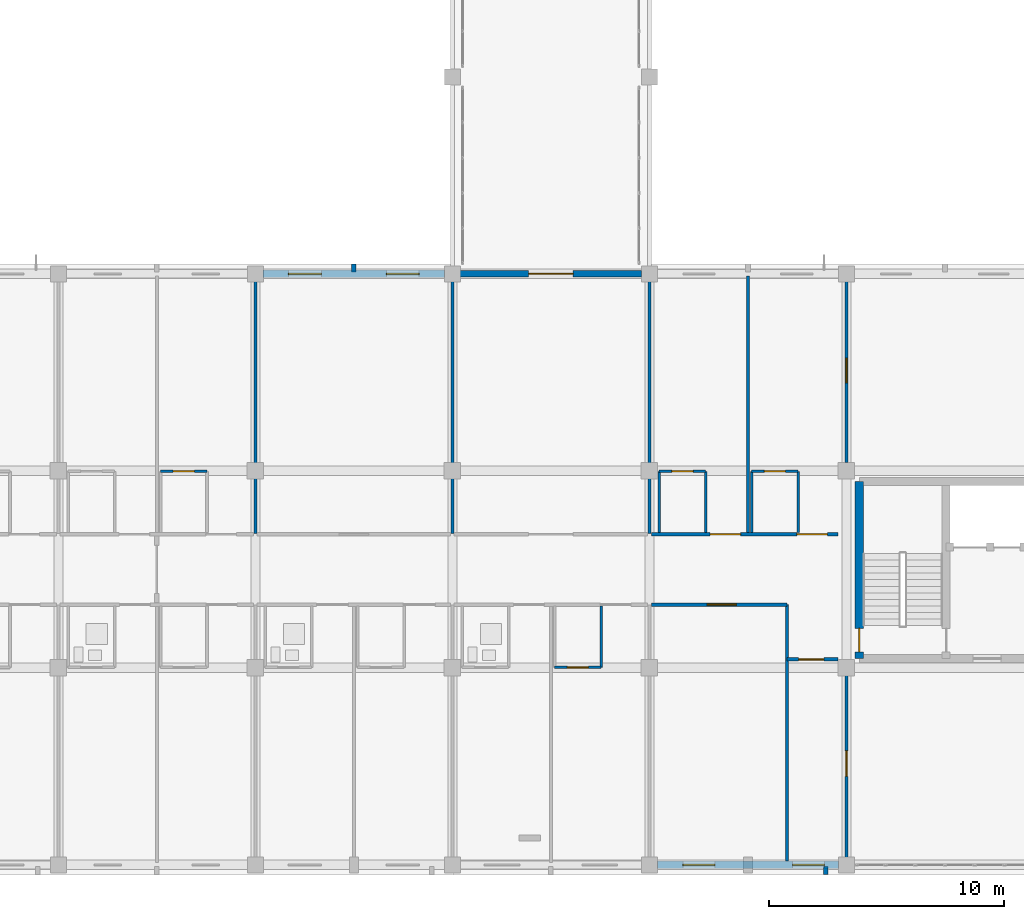
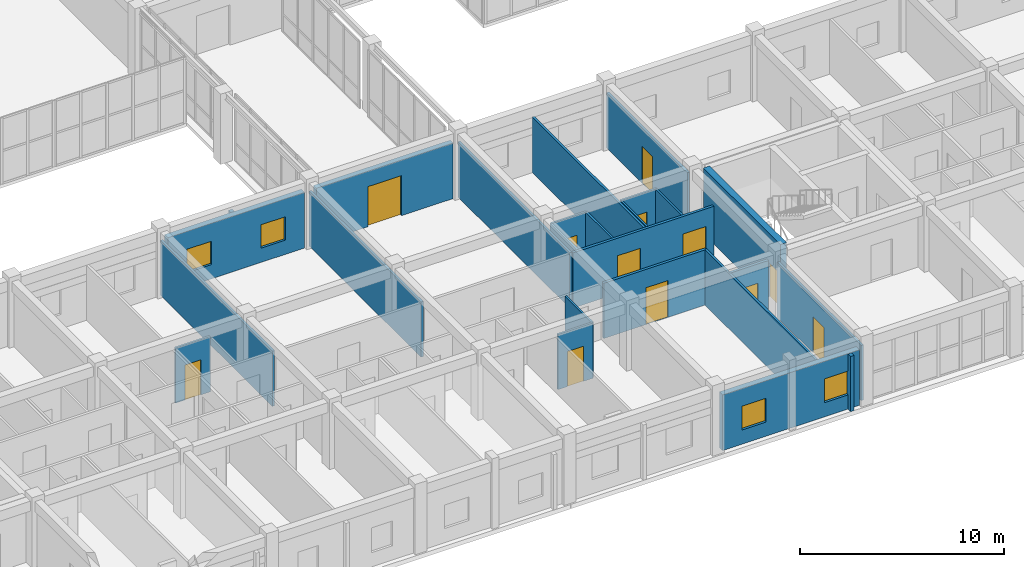
# One storey, part 111 of 140: 25 walls, 12 doors, 4 windows, 16 openings.
"""IFC4 building model written with IfcOpenShell, lengths in metres."""

from ifc_helpers import new_model, si_unit, direction, frame, frame_2d, origin, place, context, subcontext, project, spatial, rectangle, extrude, material, layer, layer_set, type_object, element, fill, save


model = new_model("IFC4")

# Units and contexts
model_context = context("Model", 3, precision=1e-05, world=origin(), true_north=direction((0.0, 1.0)))
body_context = subcontext(model_context, "Body", "Model", "MODEL_VIEW")
ifc_project = project(units=[si_unit("LENGTHUNIT", "METRE"), si_unit("AREAUNIT", "SQUARE_METRE"), si_unit("VOLUMEUNIT", "CUBIC_METRE"), si_unit("PLANEANGLEUNIT", "RADIAN"), si_unit("MASSUNIT", "GRAM", prefix="KILO")], contexts=[model_context])

# Site, building, storey
site_placement = place(None, origin())
site = spatial("IfcSite", under=ifc_project, at=site_placement, CompositionType="ELEMENT")
building_placement = place(site_placement, origin())
building = spatial("IfcBuilding", under=site, at=building_placement, Name="Trelvath General Hospital", CompositionType="ELEMENT")
storey_placement = place(building_placement, frame((0.0, 0.0, 16.199951171875)))
storey = spatial("IfcBuildingStorey", under=building, at=storey_placement, Name="L04", CompositionType="ELEMENT", Elevation=16.199951171875)

# Walls
ifc_material_1 = material(Name="Precast concrete C40/50", Category="concrete")
ifc_layer_1 = layer(ifc_material_1, 0.199951171875)
ifc_layer_set_1 = layer_set([ifc_layer_1], Name="Precast concrete C40/50")
wall_type_1 = type_object("IfcWallType", Name="BriseSoleilRib 200", PredefinedType="ELEMENTEDWALL", material=ifc_layer_set_1)
for number, where, z_axis, x_axis, name in (
    (1, (71.39990234375, 25.27490234375, 0.0), (0.0, 0.0, 1.0), (0.0, 1.0, 0.0), "Precast Concrete Brise-Soleil Rib Fin L04-331"),
    (2, (91.52392578125, -0.074951171875, 0.0), (0.0, 0.0, 1.0), (0.0, -1.0, 0.0), "Precast Concrete Brise-Soleil Rib Fin L04-336"),
):
    element("IfcWall", number, at=place(storey_placement, frame(where, z_axis=z_axis, x_axis=x_axis)), inside=storey, type_object=wall_type_1, Name=name, PredefinedType="ELEMENTEDWALL", context=body_context, shape_type="SweptSolid", body=[
        extrude(rectangle(XDim=0.340087890625, YDim=0.199951171875, at=frame_2d((0.169921875, 0.0))), origin(), (0.0, 0.0, 1.0), 3.300048828125),
    ])

# Wall, opening, door
ifc_material_2 = material(Name="Gypsum acoustic steel-stud partition", Category="steel")
ifc_layer_2 = layer(ifc_material_2, 0.14990234375)
ifc_layer_set_2 = layer_set([ifc_layer_2], Name="Gypsum acoustic steel-stud partition")
wall_type_2 = type_object("IfcWallType", Name="ClinicalPartition 150", PredefinedType="PARTITIONING", material=ifc_layer_set_2)
wall_1_placement = place(storey_placement, frame((84.080078125, 11.10009765625, 0.0), z_axis=(0.0, 0.0, 1.0), x_axis=(1.0, 0.0, 0.0)))
wall_1 = element("IfcWall", 3, at=wall_1_placement, inside=storey, type_object=wall_type_2, Name="Nurse Station Partition L04-1508", PredefinedType="PARTITIONING", context=body_context, shape_type="SweptSolid", body=[
    extrude(rectangle(XDim=5.780029296875, YDim=0.14990234375, at=frame_2d((2.89013671875, 0.0))), origin(), (0.0, 0.0, 1.0), 3.300048828125),
])
opening_1_placement = place(wall_1_placement, frame((2.3798828125, 0.0, 0.0)))
opening_1 = element("IfcOpeningElement", 4, at=opening_1_placement, cuts=wall_1, Name="Opening D-4-1041", PredefinedType="OPENING", context=body_context, shape_type="SweptSolid", body=[
    extrude(rectangle(XDim=1.25, YDim=2.199951171875, at=frame_2d((0.625, 1.10009765625))), frame((0.0, 0.0849609375, 0.0), z_axis=(0.0, -1.0, 0.0), x_axis=(1.0, 0.0, 0.0)), (0.0, 0.0, 1.0), 0.169921875),
])
ifc_material_3 = material(Name="Acoustic hospital timber leaf", Category="wood")
door_type_1 = type_object("IfcDoorType", Name="Door Treatment 1250x2200", OperationType="NOTDEFINED", PredefinedType="DOOR", material=ifc_material_3)
door_1_placement = place(opening_1_placement, origin())
door_1 = element("IfcDoor", 5, at=door_1_placement, inside=storey, type_object=door_type_1, Name="Nurse Station Door L04-1041", OperationType="SINGLE_SWING_LEFT", OverallHeight=2.199951171875, OverallWidth=1.25, PredefinedType="DOOR", context=body_context, shape_type="SweptSolid", body=[
    extrude(rectangle(XDim=1.25, YDim=2.199951171875, at=frame_2d((0.625, 1.10009765625))), frame((0.0, 0.02490234375, 0.0), z_axis=(0.0, -1.0, 0.0), x_axis=(1.0, 0.0, 0.0)), (0.0, 0.0, 1.0), 0.050048828125),
])
fill(opening_1, door_1)

wall_2_placement = place(storey_placement, frame((89.860107421875, 8.760009765625, 0.0), z_axis=(0.0, 0.0, 1.0), x_axis=(1.0, 0.0, 0.0)))
wall_2 = element("IfcWall", 6, at=wall_2_placement, inside=storey, type_object=wall_type_2, Name="Clean Utility Partition L04-1510", PredefinedType="PARTITIONING", context=body_context, shape_type="SweptSolid", body=[
    extrude(rectangle(XDim=2.179931640625, YDim=0.14990234375, at=frame_2d((1.08984375, 0.0))), origin(), (0.0, 0.0, 1.0), 3.300048828125),
])
opening_2_placement = place(wall_2_placement, frame((0.5, 0.0, 0.0)))
opening_2 = element("IfcOpeningElement", 7, at=opening_2_placement, cuts=wall_2, Name="Opening D-4-1042", PredefinedType="OPENING", context=body_context, shape_type="SweptSolid", body=[
    extrude(rectangle(XDim=1.080078125, YDim=2.14990234375, at=frame_2d((0.5400390625, 1.074951171875))), frame((0.0, 0.0849609375, 0.0), z_axis=(0.0, -1.0, 0.0), x_axis=(1.0, 0.0, 0.0)), (0.0, 0.0, 1.0), 0.169921875),
])
ifc_material_4 = material(Name="Acoustic hospital timber leaf", Category="wood")
door_type_2 = type_object("IfcDoorType", Name="Door CleanSupply 1080x2150", OperationType="NOTDEFINED", PredefinedType="DOOR", material=ifc_material_4)
door_2_placement = place(opening_2_placement, origin())
door_2 = element("IfcDoor", 8, at=door_2_placement, inside=storey, type_object=door_type_2, Name="Clean Utility Door L04-1042", OperationType="SINGLE_SWING_RIGHT", OverallHeight=2.14990234375, OverallWidth=1.080078125, PredefinedType="DOOR", context=body_context, shape_type="SweptSolid", body=[
    extrude(rectangle(XDim=1.080078125, YDim=2.14990234375, at=frame_2d((0.5400390625, 1.074951171875))), frame((0.0, 0.02490234375, 0.0), z_axis=(0.0, -1.0, 0.0), x_axis=(1.0, 0.0, 0.0)), (0.0, 0.0, 1.0), 0.050048828125),
])
fill(opening_2, door_2)

# Wall, openings, doors
wall_3_placement = place(storey_placement, frame((92.0400390625, 14.10009765625, 0.0), z_axis=(0.0, 0.0, 1.0), x_axis=(-1.0, 0.0, 0.0)))
wall_3 = element("IfcWall", 9, at=wall_3_placement, inside=storey, type_object=wall_type_2, Name="Corridor Partition N L04-1511", PredefinedType="PARTITIONING", context=body_context, shape_type="SweptSolid", body=[
    extrude(rectangle(XDim=7.9599609375, YDim=0.14990234375, at=frame_2d((3.97998046875, 0.0))), origin(), (0.0, 0.0, 1.0), 3.300048828125),
])
opening_3_placement = place(wall_3_placement, frame((0.449951171875, 0.0, 0.0)))
opening_3 = element("IfcOpeningElement", 10, at=opening_3_placement, cuts=wall_3, Name="Opening D-4-1043", PredefinedType="OPENING", context=body_context, shape_type="SweptSolid", body=[
    extrude(rectangle(XDim=1.300048828125, YDim=2.25, at=frame_2d((0.64990234375, 1.125))), frame((0.0, 0.0849609375, 0.0), z_axis=(0.0, -1.0, 0.0), x_axis=(1.0, 0.0, 0.0)), (0.0, 0.0, 1.0), 0.169921875),
])
opening_4_placement = place(wall_3_placement, frame((4.14990234375, 0.0, 0.0)))
opening_4 = element("IfcOpeningElement", 11, at=opening_4_placement, cuts=wall_3, Name="Opening D-4-1044", PredefinedType="OPENING", context=body_context, shape_type="SweptSolid", body=[
    extrude(rectangle(XDim=1.300048828125, YDim=2.25, at=frame_2d((0.64990234375, 1.125))), frame((0.0, 0.0849609375, 0.0), z_axis=(0.0, -1.0, 0.0), x_axis=(1.0, 0.0, 0.0)), (0.0, 0.0, 1.0), 0.169921875),
])
ifc_material_5 = material(Name="Hospital bed-leaf timber door", Category="wood")
door_type_3 = type_object("IfcDoorType", Name="Door PatientBed 1300x2250", OperationType="NOTDEFINED", PredefinedType="DOOR", material=ifc_material_5)
door_3_placement = place(opening_3_placement, origin())
door_3 = element("IfcDoor", 12, at=door_3_placement, inside=storey, type_object=door_type_3, Name="Patient Room Door N L04-1043", OperationType="SINGLE_SWING_LEFT", OverallHeight=2.25, OverallWidth=1.300048828125, PredefinedType="DOOR", context=body_context, shape_type="SweptSolid", body=[
    extrude(rectangle(XDim=1.300048828125, YDim=2.25, at=frame_2d((0.64990234375, 1.125))), frame((0.0, 0.02490234375, 0.0), z_axis=(0.0, -1.0, 0.0), x_axis=(1.0, 0.0, 0.0)), (0.0, 0.0, 1.0), 0.050048828125),
])
fill(opening_3, door_3)
door_4_placement = place(opening_4_placement, origin())
door_4 = element("IfcDoor", 13, at=door_4_placement, inside=storey, type_object=door_type_3, Name="Patient Room Door N L04-1044", OperationType="SINGLE_SWING_LEFT", OverallHeight=2.25, OverallWidth=1.300048828125, PredefinedType="DOOR", context=body_context, shape_type="SweptSolid", body=[
    extrude(rectangle(XDim=1.300048828125, YDim=2.25, at=frame_2d((0.64990234375, 1.125))), frame((0.0, 0.02490234375, 0.0), z_axis=(0.0, -1.0, 0.0), x_axis=(1.0, 0.0, 0.0)), (0.0, 0.0, 1.0), 0.050048828125),
])
fill(opening_4, door_4)

# Wall, opening, door
ifc_material_6 = material(Name="Concrete C40/50", Category="concrete")
ifc_layer_3 = layer(ifc_material_6, 0.35009765625)
ifc_layer_set_3 = layer_set([ifc_layer_3], Name="Concrete C40/50")
wall_type_3 = type_object("IfcWallType", Name="CoreShearWall 350", PredefinedType="SHEAR", material=ifc_layer_set_3)
wall_4_placement = place(storey_placement, frame((92.949951171875, 8.800048828125, 0.0), z_axis=(0.0, 0.0, 1.0), x_axis=(0.0, 1.0, 0.0)))
wall_4 = element("IfcWall", 14, at=wall_4_placement, inside=storey, type_object=wall_type_3, Name="Core Shear Wall C5 W L04", PredefinedType="SHEAR", context=body_context, shape_type="SweptSolid", body=[
    extrude(rectangle(XDim=7.550048828125, YDim=0.35009765625, at=frame_2d((3.77490234375, 0.0))), origin(), (0.0, 0.0, 1.0), 3.920166015625),
])
opening_5_placement = place(wall_4_placement, frame((0.280029296875, 0.0, 0.0)))
opening_5 = element("IfcOpeningElement", 15, at=opening_5_placement, cuts=wall_4, Name="Opening FD-SW54", PredefinedType="OPENING", context=body_context, shape_type="SweptSolid", body=[
    extrude(rectangle(XDim=1.0, YDim=2.14990234375, at=frame_2d((0.5, 1.074951171875))), frame((0.0, 0.18505859375, 0.0), z_axis=(0.0, -1.0, 0.0), x_axis=(1.0, 0.0, 0.0)), (0.0, 0.0, 1.0), 0.3701171875),
])
ifc_material_7 = material(Name="Fire-rated steel door", Category="steel")
door_type_4 = type_object("IfcDoorType", Name="Door FireStair 1100x2150", OperationType="NOTDEFINED", PredefinedType="DOOR", material=ifc_material_7)
door_5_placement = place(opening_5_placement, origin())
door_5 = element("IfcDoor", 16, at=door_5_placement, inside=storey, type_object=door_type_4, Name="West Corridor Stair Door ST5 L04", OperationType="SINGLE_SWING_RIGHT", OverallHeight=2.14990234375, OverallWidth=1.0, PredefinedType="DOOR", context=body_context, shape_type="SweptSolid", body=[
    extrude(rectangle(XDim=1.0, YDim=2.14990234375, at=frame_2d((0.5, 1.074951171875))), frame((0.0, 0.02490234375, 0.0), z_axis=(0.0, -1.0, 0.0), x_axis=(1.0, 0.0, 0.0)), (0.0, 0.0, 1.0), 0.050048828125),
])
fill(opening_5, door_5)

ifc_material_8 = material(Name="Moisture-resistant tile partition")
ifc_layer_4 = layer(ifc_material_8, 0.110107421875)
ifc_layer_set_4 = layer_set([ifc_layer_4], Name="Moisture-resistant tile partition")
wall_type_4 = type_object("IfcWallType", Name="EnSuiteWetWall 110", PredefinedType="PARTITIONING", material=ifc_layer_set_4)
wall_5_placement = place(storey_placement, frame((63.159912109375, 16.780029296875, 0.0), z_axis=(0.0, 0.0, 1.0), x_axis=(1.0, 0.0, 0.0)))
wall_5 = element("IfcWall", 17, at=wall_5_placement, inside=storey, type_object=wall_type_4, Name="En-Suite Bathroom N Partition L04-1481", PredefinedType="PARTITIONING", context=body_context, shape_type="SweptSolid", body=[
    extrude(rectangle(XDim=1.97998046875, YDim=0.110107421875, at=frame_2d((0.989990234375, 0.0))), origin(), (0.0, 0.0, 1.0), 3.300048828125),
])
opening_6_placement = place(wall_5_placement, frame((0.5400390625, 0.0, 0.0)))
opening_6 = element("IfcOpeningElement", 18, at=opening_6_placement, cuts=wall_5, Name="Opening D-4-1029", PredefinedType="OPENING", context=body_context, shape_type="SweptSolid", body=[
    extrude(rectangle(XDim=0.89990234375, YDim=2.10009765625, at=frame_2d((0.449951171875, 1.050048828125))), frame((0.0, 0.06494140625, 0.0), z_axis=(0.0, -1.0, 0.0), x_axis=(1.0, 0.0, 0.0)), (0.0, 0.0, 1.0), 0.130126953125),
])
ifc_material_9 = material(Name="Moisture-sealed timber leaf", Category="wood")
door_type_5 = type_object("IfcDoorType", Name="Door EnSuite 900x2100", OperationType="NOTDEFINED", PredefinedType="DOOR", material=ifc_material_9)
door_6_placement = place(opening_6_placement, origin())
door_6 = element("IfcDoor", 19, at=door_6_placement, inside=storey, type_object=door_type_5, Name="En-Suite Bathroom N Door L04-1029", OperationType="SINGLE_SWING_LEFT", OverallHeight=2.10009765625, OverallWidth=0.89990234375, PredefinedType="DOOR", context=body_context, shape_type="SweptSolid", body=[
    extrude(rectangle(XDim=0.89990234375, YDim=2.10009765625, at=frame_2d((0.449951171875, 1.050048828125))), frame((0.0, 0.02490234375, 0.0), z_axis=(0.0, -1.0, 0.0), x_axis=(1.0, 0.0, 0.0)), (0.0, 0.0, 1.0), 0.050048828125),
])
fill(opening_6, door_6)

# Wall
wall_6_placement = place(storey_placement, frame((81.93994140625, 8.419921875, 0.0), z_axis=(0.0, 0.0, 1.0), x_axis=(0.0, 1.0, 0.0)))
element("IfcWall", 20, at=wall_6_placement, inside=storey, type_object=wall_type_4, Name="En-Suite E Wall L04-1502", PredefinedType="PARTITIONING", context=body_context, shape_type="SweptSolid", body=[
    extrude(rectangle(XDim=2.610107421875, YDim=0.110107421875, at=frame_2d((1.30517578125, 0.0))), origin(), (0.0, 0.0, 1.0), 3.300048828125),
])

# Wall, opening, door
wall_7_placement = place(storey_placement, frame((79.9599609375, 8.419921875, 0.0), z_axis=(0.0, 0.0, 1.0), x_axis=(1.0, 0.0, 0.0)))
wall_7 = element("IfcWall", 21, at=wall_7_placement, inside=storey, type_object=wall_type_4, Name="En-Suite Bathroom Partition L04-1503", PredefinedType="PARTITIONING", context=body_context, shape_type="SweptSolid", body=[
    extrude(rectangle(XDim=1.97998046875, YDim=0.110107421875, at=frame_2d((0.989990234375, 0.0))), origin(), (0.0, 0.0, 1.0), 3.300048828125),
])
opening_7_placement = place(wall_7_placement, frame((0.5400390625, 0.0, 0.0)))
opening_7 = element("IfcOpeningElement", 22, at=opening_7_placement, cuts=wall_7, Name="Opening D-4-1039", PredefinedType="OPENING", context=body_context, shape_type="SweptSolid", body=[
    extrude(rectangle(XDim=0.89990234375, YDim=2.10009765625, at=frame_2d((0.449951171875, 1.050048828125))), frame((0.0, 0.06494140625, 0.0), z_axis=(0.0, -1.0, 0.0), x_axis=(1.0, 0.0, 0.0)), (0.0, 0.0, 1.0), 0.130126953125),
])
door_7_placement = place(opening_7_placement, origin())
door_7 = element("IfcDoor", 23, at=door_7_placement, inside=storey, type_object=door_type_5, Name="En-Suite Bathroom Door L04-1039", OperationType="SINGLE_SWING_RIGHT", OverallHeight=2.10009765625, OverallWidth=0.89990234375, PredefinedType="DOOR", context=body_context, shape_type="SweptSolid", body=[
    extrude(rectangle(XDim=0.89990234375, YDim=2.10009765625, at=frame_2d((0.449951171875, 1.050048828125))), frame((0.0, 0.02490234375, 0.0), z_axis=(0.0, -1.0, 0.0), x_axis=(1.0, 0.0, 0.0)), (0.0, 0.0, 1.0), 0.050048828125),
])
fill(opening_7, door_7)

# Walls
for number, where, z_axis, x_axis, name in (
    (24, (84.419921875, 14.169921875, 0.0), (0.0, 0.0, 1.0), (0.0, 1.0, 0.0), "En-Suite W Wall N L04-1513"),
    (25, (86.39990234375, 14.169921875, 0.0), (0.0, 0.0, 1.0), (0.0, 1.0, 0.0), "En-Suite E Wall N L04-1514"),
):
    element("IfcWall", number, at=place(storey_placement, frame(where, z_axis=z_axis, x_axis=x_axis)), inside=storey, type_object=wall_type_4, Name=name, PredefinedType="PARTITIONING", context=body_context, shape_type="SweptSolid", body=[
        extrude(rectangle(XDim=2.610107421875, YDim=0.110107421875, at=frame_2d((1.30517578125, 0.0))), origin(), (0.0, 0.0, 1.0), 3.300048828125),
    ])

# Wall, opening, door
wall_8_placement = place(storey_placement, frame((84.419921875, 16.780029296875, 0.0), z_axis=(0.0, 0.0, 1.0), x_axis=(1.0, 0.0, 0.0)))
wall_8 = element("IfcWall", 26, at=wall_8_placement, inside=storey, type_object=wall_type_4, Name="En-Suite Bathroom N Partition L04-1515", PredefinedType="PARTITIONING", context=body_context, shape_type="SweptSolid", body=[
    extrude(rectangle(XDim=1.97998046875, YDim=0.110107421875, at=frame_2d((0.989990234375, 0.0))), origin(), (0.0, 0.0, 1.0), 3.300048828125),
])
opening_8_placement = place(wall_8_placement, frame((0.5400390625, 0.0, 0.0)))
opening_8 = element("IfcOpeningElement", 27, at=opening_8_placement, cuts=wall_8, Name="Opening D-4-1045", PredefinedType="OPENING", context=body_context, shape_type="SweptSolid", body=[
    extrude(rectangle(XDim=0.89990234375, YDim=2.10009765625, at=frame_2d((0.449951171875, 1.050048828125))), frame((0.0, 0.06494140625, 0.0), z_axis=(0.0, -1.0, 0.0), x_axis=(1.0, 0.0, 0.0)), (0.0, 0.0, 1.0), 0.130126953125),
])
door_8_placement = place(opening_8_placement, origin())
door_8 = element("IfcDoor", 28, at=door_8_placement, inside=storey, type_object=door_type_5, Name="En-Suite Bathroom N Door L04-1045", OperationType="SINGLE_SWING_RIGHT", OverallHeight=2.10009765625, OverallWidth=0.89990234375, PredefinedType="DOOR", context=body_context, shape_type="SweptSolid", body=[
    extrude(rectangle(XDim=0.89990234375, YDim=2.10009765625, at=frame_2d((0.449951171875, 1.050048828125))), frame((0.0, 0.02490234375, 0.0), z_axis=(0.0, -1.0, 0.0), x_axis=(1.0, 0.0, 0.0)), (0.0, 0.0, 1.0), 0.050048828125),
])
fill(opening_8, door_8)

# Walls
for number, where, z_axis, x_axis, name in (
    (29, (88.360107421875, 14.169921875, 0.0), (0.0, 0.0, 1.0), (0.0, 1.0, 0.0), "En-Suite W Wall N L04-1516"),
    (30, (90.340087890625, 14.169921875, 0.0), (0.0, 0.0, 1.0), (0.0, 1.0, 0.0), "En-Suite E Wall N L04-1517"),
):
    element("IfcWall", number, at=place(storey_placement, frame(where, z_axis=z_axis, x_axis=x_axis)), inside=storey, type_object=wall_type_4, Name=name, PredefinedType="PARTITIONING", context=body_context, shape_type="SweptSolid", body=[
        extrude(rectangle(XDim=2.610107421875, YDim=0.110107421875, at=frame_2d((1.30517578125, 0.0))), origin(), (0.0, 0.0, 1.0), 3.300048828125),
    ])

# Wall, opening, door
wall_9_placement = place(storey_placement, frame((88.360107421875, 16.780029296875, 0.0), z_axis=(0.0, 0.0, 1.0), x_axis=(1.0, 0.0, 0.0)))
wall_9 = element("IfcWall", 31, at=wall_9_placement, inside=storey, type_object=wall_type_4, Name="En-Suite Bathroom N Partition L04-1518", PredefinedType="PARTITIONING", context=body_context, shape_type="SweptSolid", body=[
    extrude(rectangle(XDim=1.97998046875, YDim=0.110107421875, at=frame_2d((0.989990234375, 0.0))), origin(), (0.0, 0.0, 1.0), 3.300048828125),
])
opening_9_placement = place(wall_9_placement, frame((0.5400390625, 0.0, 0.0)))
opening_9 = element("IfcOpeningElement", 32, at=opening_9_placement, cuts=wall_9, Name="Opening D-4-1046", PredefinedType="OPENING", context=body_context, shape_type="SweptSolid", body=[
    extrude(rectangle(XDim=0.89990234375, YDim=2.10009765625, at=frame_2d((0.449951171875, 1.050048828125))), frame((0.0, 0.06494140625, 0.0), z_axis=(0.0, -1.0, 0.0), x_axis=(1.0, 0.0, 0.0)), (0.0, 0.0, 1.0), 0.130126953125),
])
door_9_placement = place(opening_9_placement, origin())
door_9 = element("IfcDoor", 33, at=door_9_placement, inside=storey, type_object=door_type_5, Name="En-Suite Bathroom N Door L04-1046", OperationType="SINGLE_SWING_LEFT", OverallHeight=2.10009765625, OverallWidth=0.89990234375, PredefinedType="DOOR", context=body_context, shape_type="SweptSolid", body=[
    extrude(rectangle(XDim=0.89990234375, YDim=2.10009765625, at=frame_2d((0.449951171875, 1.050048828125))), frame((0.0, 0.02490234375, 0.0), z_axis=(0.0, -1.0, 0.0), x_axis=(1.0, 0.0, 0.0)), (0.0, 0.0, 1.0), 0.050048828125),
])
fill(opening_9, door_9)

ifc_material_10 = material(Name="Concrete C35/45", Category="concrete")
ifc_layer_5 = layer(ifc_material_10, 0.2900390625)
ifc_layer_set_5 = layer_set([ifc_layer_5], Name="Concrete C35/45")
wall_type_5 = type_object("IfcWallType", Name="ExtBushHammeredWall 290", PredefinedType="SOLIDWALL", material=ifc_layer_set_5)
wall_10_placement = place(storey_placement, frame((75.93505859375, 25.199951171875, 0.0), z_axis=(0.0, 0.0, 1.0), x_axis=(1.0, 0.0, 0.0)))
wall_10 = element("IfcWall", 34, at=wall_10_placement, inside=storey, type_object=wall_type_5, Name="Bridge Portal Wall BRG-S-C L04", PredefinedType="SOLIDWALL", context=body_context, shape_type="SweptSolid", body=[
    extrude(rectangle(XDim=7.72998046875, YDim=0.2900390625, at=frame_2d((3.864990234375, 0.0))), origin(), (0.0, 0.0, 1.0), 3.320068359375),
])
opening_10_placement = place(wall_10_placement, frame((2.9150390625, 0.0, 0.0)))
opening_10 = element("IfcOpeningElement", 35, at=opening_10_placement, cuts=wall_10, Name="Opening BP-4-056", PredefinedType="OPENING", context=body_context, shape_type="SweptSolid", body=[
    extrude(rectangle(XDim=1.89990234375, YDim=2.39990234375, at=frame_2d((0.949951171875, 1.199951171875))), frame((0.0, 0.155029296875, 0.0), z_axis=(0.0, -1.0, 0.0), x_axis=(1.0, 0.0, 0.0)), (0.0, 0.0, 1.0), 0.31005859375),
])
ifc_material_11 = material(Name="Thermally broken glazed aluminium pair", Category="aluminium")
door_type_6 = type_object("IfcDoorType", Name="Door BridgeEntry 1900x2400", OperationType="DOUBLE_SWING_LEFT", PredefinedType="DOOR", material=ifc_material_11)
door_10_placement = place(opening_10_placement, origin())
door_10 = element("IfcDoor", 36, at=door_10_placement, inside=storey, type_object=door_type_6, Name="Glazed Bridge Portal Door BRG-S-C L04", OperationType="DOUBLE_SWING_LEFT", OverallHeight=2.39990234375, OverallWidth=1.89990234375, PredefinedType="DOOR", context=body_context, shape_type="SweptSolid", body=[
    extrude(rectangle(XDim=1.89990234375, YDim=2.39990234375, at=frame_2d((0.949951171875, 1.199951171875))), frame((0.0, 0.02490234375, 0.0), z_axis=(0.0, -1.0, 0.0), x_axis=(1.0, 0.0, 0.0)), (0.0, 0.0, 1.0), 0.050048828125),
])
fill(opening_10, door_10)

# Wall, openings, windows
ifc_material_12 = material(Name="Concrete C35/45", Category="concrete")
ifc_layer_6 = layer(ifc_material_12, 0.320068359375)
ifc_layer_set_6 = layer_set([ifc_layer_6], Name="Concrete C35/45")
wall_type_6 = type_object("IfcWallType", Name="ExtThermalWall 320", PredefinedType="SOLIDWALL", material=ifc_layer_set_6)
wall_11_placement = place(storey_placement, frame((67.534912109375, 25.199951171875, 0.0), z_axis=(0.0, 0.0, 1.0), x_axis=(1.0, 0.0, 0.0)))
wall_11 = element("IfcWall", 37, at=wall_11_placement, inside=storey, type_object=wall_type_6, Name="Exterior Concrete Wall L04-449", PredefinedType="SOLIDWALL", context=body_context, shape_type="SweptSolid", body=[
    extrude(rectangle(XDim=7.72998046875, YDim=0.320068359375, at=frame_2d((3.864990234375, 0.0))), origin(), (0.0, 0.0, 1.0), 3.320068359375),
])
opening_11_placement = place(wall_11_placement, frame((1.077880859375, 0.0, 0.85009765625)))
opening_11 = element("IfcOpeningElement", 38, at=opening_11_placement, cuts=wall_11, Name="Opening WN-4-747", PredefinedType="OPENING", context=body_context, shape_type="SweptSolid", body=[
    extrude(rectangle(XDim=1.39990234375, YDim=1.39990234375, at=frame_2d((0.699951171875, 0.699951171875))), frame((0.0, 0.169921875, 0.0), z_axis=(0.0, -1.0, 0.0), x_axis=(1.0, 0.0, 0.0)), (0.0, 0.0, 1.0), 0.340087890625),
])
opening_12_placement = place(wall_11_placement, frame((5.252197265625, 0.0, 0.85009765625)))
opening_12 = element("IfcOpeningElement", 39, at=opening_12_placement, cuts=wall_11, Name="Opening WN-4-748", PredefinedType="OPENING", context=body_context, shape_type="SweptSolid", body=[
    extrude(rectangle(XDim=1.39990234375, YDim=1.39990234375, at=frame_2d((0.699951171875, 0.699951171875))), frame((0.0, 0.169921875, 0.0), z_axis=(0.0, -1.0, 0.0), x_axis=(1.0, 0.0, 0.0)), (0.0, 0.0, 1.0), 0.340087890625),
])
ifc_material_13 = material(Name="Low-E laminated glass", Category="glass")
window_type_1 = type_object("IfcWindowType", Name="Window Surgical 1400x1400", PartitioningType="DOUBLE_PANEL_VERTICAL", PredefinedType="WINDOW", material=ifc_material_13)
window_1_placement = place(opening_11_placement, origin())
window_1 = element("IfcWindow", 40, at=window_1_placement, inside=storey, type_object=window_type_1, Name="Solar Reveal Window L04-747", OverallHeight=1.39990234375, OverallWidth=1.39990234375, PartitioningType="SINGLE_PANEL", PredefinedType="WINDOW", context=body_context, shape_type="SweptSolid", body=[
    extrude(rectangle(XDim=1.39990234375, YDim=1.39990234375, at=frame_2d((0.699951171875, 0.699951171875))), frame((0.0, 0.030029296875, 0.0), z_axis=(0.0, -1.0, 0.0), x_axis=(1.0, 0.0, 0.0)), (0.0, 0.0, 1.0), 0.06005859375),
])
fill(opening_11, window_1)
window_2_placement = place(opening_12_placement, origin())
window_2 = element("IfcWindow", 41, at=window_2_placement, inside=storey, type_object=window_type_1, Name="Solar Reveal Window L04-748", OverallHeight=1.39990234375, OverallWidth=1.39990234375, PartitioningType="SINGLE_PANEL", PredefinedType="WINDOW", context=body_context, shape_type="SweptSolid", body=[
    extrude(rectangle(XDim=1.39990234375, YDim=1.39990234375, at=frame_2d((0.699951171875, 0.699951171875))), frame((0.0, 0.030029296875, 0.0), z_axis=(0.0, -1.0, 0.0), x_axis=(1.0, 0.0, 0.0)), (0.0, 0.0, 1.0), 0.06005859375),
])
fill(opening_12, window_2)

wall_12_placement = place(storey_placement, frame((92.06494140625, 0.0, 0.0), z_axis=(0.0, 0.0, 1.0), x_axis=(-1.0, 0.0, 0.0)))
wall_12 = element("IfcWall", 42, at=wall_12_placement, inside=storey, type_object=wall_type_6, Name="Exterior Concrete Wall L04-461", PredefinedType="SOLIDWALL", context=body_context, shape_type="SweptSolid", body=[
    extrude(rectangle(XDim=7.72998046875, YDim=0.320068359375, at=frame_2d((3.864990234375, 0.0))), origin(), (0.0, 0.0, 1.0), 3.320068359375),
])
opening_13_placement = place(wall_12_placement, frame((0.60009765625, 0.0, 0.85009765625)))
opening_13 = element("IfcOpeningElement", 43, at=opening_13_placement, cuts=wall_12, Name="Opening WN-4-757", PredefinedType="OPENING", context=body_context, shape_type="SweptSolid", body=[
    extrude(rectangle(XDim=1.360107421875, YDim=1.419921875, at=frame_2d((0.68017578125, 0.7099609375))), frame((0.0, 0.169921875, 0.0), z_axis=(0.0, -1.0, 0.0), x_axis=(1.0, 0.0, 0.0)), (0.0, 0.0, 1.0), 0.340087890625),
])
opening_14_placement = place(wall_12_placement, frame((5.272216796875, 0.0, 0.85009765625)))
opening_14 = element("IfcOpeningElement", 44, at=opening_14_placement, cuts=wall_12, Name="Opening WN-4-758", PredefinedType="OPENING", context=body_context, shape_type="SweptSolid", body=[
    extrude(rectangle(XDim=1.360107421875, YDim=1.419921875, at=frame_2d((0.68017578125, 0.7099609375))), frame((0.0, 0.169921875, 0.0), z_axis=(0.0, -1.0, 0.0), x_axis=(1.0, 0.0, 0.0)), (0.0, 0.0, 1.0), 0.340087890625),
])
ifc_material_14 = material(Name="Low-E laminated glass", Category="glass")
window_type_2 = type_object("IfcWindowType", Name="Window Pathology 1360x1420", PartitioningType="DOUBLE_PANEL_VERTICAL", PredefinedType="WINDOW", material=ifc_material_14)
window_3_placement = place(opening_13_placement, origin())
window_3 = element("IfcWindow", 45, at=window_3_placement, inside=storey, type_object=window_type_2, Name="Solar Reveal Window L04-757", OverallHeight=1.419921875, OverallWidth=1.360107421875, PartitioningType="SINGLE_PANEL", PredefinedType="WINDOW", context=body_context, shape_type="SweptSolid", body=[
    extrude(rectangle(XDim=1.360107421875, YDim=1.419921875, at=frame_2d((0.68017578125, 0.7099609375))), frame((0.0, 0.030029296875, 0.0), z_axis=(0.0, -1.0, 0.0), x_axis=(1.0, 0.0, 0.0)), (0.0, 0.0, 1.0), 0.06005859375),
])
fill(opening_13, window_3)
window_4_placement = place(opening_14_placement, origin())
window_4 = element("IfcWindow", 46, at=window_4_placement, inside=storey, type_object=window_type_2, Name="Solar Reveal Window L04-758", OverallHeight=1.419921875, OverallWidth=1.360107421875, PartitioningType="SINGLE_PANEL", PredefinedType="WINDOW", context=body_context, shape_type="SweptSolid", body=[
    extrude(rectangle(XDim=1.360107421875, YDim=1.419921875, at=frame_2d((0.68017578125, 0.7099609375))), frame((0.0, 0.030029296875, 0.0), z_axis=(0.0, -1.0, 0.0), x_axis=(1.0, 0.0, 0.0)), (0.0, 0.0, 1.0), 0.06005859375),
])
fill(opening_14, window_4)

# Walls
ifc_material_15 = material(Name="Gypsum acoustic steel-stud partition", Category="steel")
ifc_layer_7 = layer(ifc_material_15, 0.1298828125)
ifc_layer_set_7 = layer_set([ifc_layer_7], Name="Gypsum acoustic steel-stud partition")
wall_type_7 = type_object("IfcWallType", Name="WardPartition 130", PredefinedType="PARTITIONING", material=ifc_layer_set_7)
for number, where, z_axis, x_axis, name in (
    (47, (67.199951171875, 14.1201171875, 0.0), (0.0, 0.0, 1.0), (0.0, 1.0, 0.0), "Inter-Bay Ward Partition N L04-1484"),
    (48, (75.60009765625, 14.1201171875, 0.0), (0.0, 0.0, 1.0), (0.0, 1.0, 0.0), "Inter-Bay Ward Partition N L04-1495"),
    (49, (84.0, 14.1201171875, 0.0), (0.0, 0.0, 1.0), (0.0, 1.0, 0.0), "Inter-Bay Ward Partition N L04-1507"),
):
    element("IfcWall", number, at=place(storey_placement, frame(where, z_axis=z_axis, x_axis=x_axis)), inside=storey, type_object=wall_type_7, Name=name, PredefinedType="PARTITIONING", context=body_context, shape_type="SweptSolid", body=[
        extrude(rectangle(XDim=10.93994140625, YDim=0.1298828125, at=frame_2d((5.469970703125, 0.0))), origin(), (0.0, 0.0, 1.0), 3.300048828125),
    ])
wall_13_placement = place(storey_placement, frame((89.860107421875, 0.159912109375, 0.0), z_axis=(0.0, 0.0, 1.0), x_axis=(0.0, 1.0, 0.0)))
element("IfcWall", 50, at=wall_13_placement, inside=storey, type_object=wall_type_7, Name="Nurse Alcove Partition L04-1509", PredefinedType="PARTITIONING", context=body_context, shape_type="SweptSolid", body=[
    extrude(rectangle(XDim=10.940185546875, YDim=0.1298828125, at=frame_2d((5.47021484375, 0.0))), origin(), (0.0, 0.0, 1.0), 3.300048828125),
])
wall_14_placement = place(storey_placement, frame((88.199951171875, 14.169921875, 0.0), z_axis=(0.0, 0.0, 1.0), x_axis=(0.0, 1.0, 0.0)))
element("IfcWall", 51, at=wall_14_placement, inside=storey, type_object=wall_type_7, Name="Room Dividing Partition N L04-1512", PredefinedType="PARTITIONING", context=body_context, shape_type="SweptSolid", body=[
    extrude(rectangle(XDim=10.93017578125, YDim=0.1298828125, at=frame_2d((5.465087890625, 0.0))), origin(), (0.0, 0.0, 1.0), 3.300048828125),
])

# Wall, opening, door
wall_15_placement = place(storey_placement, frame((92.39990234375, 0.139892578125, 0.0), z_axis=(0.0, 0.0, 1.0), x_axis=(0.0, 1.0, 0.0)))
wall_15 = element("IfcWall", 52, at=wall_15_placement, inside=storey, type_object=wall_type_7, Name="Inter-Bay Ward Partition S L04-1519", PredefinedType="PARTITIONING", context=body_context, shape_type="SweptSolid", body=[
    extrude(rectangle(XDim=8.210205078125, YDim=0.1298828125, at=frame_2d((4.10498046875, 0.0))), origin(), (0.0, 0.0, 1.0), 3.300048828125),
])
opening_15_placement = place(wall_15_placement, frame((3.639892578125, 0.0, 0.0)))
opening_15 = element("IfcOpeningElement", 53, at=opening_15_placement, cuts=wall_15, Name="Opening D-4-1047", PredefinedType="OPENING", context=body_context, shape_type="SweptSolid", body=[
    extrude(rectangle(XDim=1.080078125, YDim=2.14990234375, at=frame_2d((0.5400390625, 1.074951171875))), frame((0.0, 0.074951171875, 0.0), z_axis=(0.0, -1.0, 0.0), x_axis=(1.0, 0.0, 0.0)), (0.0, 0.0, 1.0), 0.14990234375),
])
door_11_placement = place(opening_15_placement, origin())
door_11 = element("IfcDoor", 54, at=door_11_placement, inside=storey, type_object=door_type_2, Name="Clean Supply Connecting Door L04-1047", OperationType="SINGLE_SWING_RIGHT", OverallHeight=2.14990234375, OverallWidth=1.080078125, PredefinedType="DOOR", context=body_context, shape_type="SweptSolid", body=[
    extrude(rectangle(XDim=1.080078125, YDim=2.14990234375, at=frame_2d((0.5400390625, 1.074951171875))), frame((0.0, 0.02490234375, 0.0), z_axis=(0.0, -1.0, 0.0), x_axis=(1.0, 0.0, 0.0)), (0.0, 0.0, 1.0), 0.050048828125),
])
fill(opening_15, door_11)

wall_16_placement = place(storey_placement, frame((92.39990234375, 17.14990234375, 0.0), z_axis=(0.0, 0.0, 1.0), x_axis=(0.0, 1.0, 0.0)))
wall_16 = element("IfcWall", 55, at=wall_16_placement, inside=storey, type_object=wall_type_7, Name="Inter-Bay Ward Partition N L04-1520", PredefinedType="PARTITIONING", context=body_context, shape_type="SweptSolid", body=[
    extrude(rectangle(XDim=7.91015625, YDim=0.1298828125, at=frame_2d((3.955078125, 0.0))), origin(), (0.0, 0.0, 1.0), 3.300048828125),
])
opening_16_placement = place(wall_16_placement, frame((3.39990234375, 0.0, 0.0)))
opening_16 = element("IfcOpeningElement", 56, at=opening_16_placement, cuts=wall_16, Name="Opening D-4-1048", PredefinedType="OPENING", context=body_context, shape_type="SweptSolid", body=[
    extrude(rectangle(XDim=1.050048828125, YDim=2.199951171875, at=frame_2d((0.52490234375, 1.10009765625))), frame((0.0, 0.074951171875, 0.0), z_axis=(0.0, -1.0, 0.0), x_axis=(1.0, 0.0, 0.0)), (0.0, 0.0, 1.0), 0.14990234375),
])
ifc_material_16 = material(Name="Acoustic hospital timber leaf", Category="wood")
door_type_7 = type_object("IfcDoorType", Name="Door Consult 1050x2200", OperationType="NOTDEFINED", PredefinedType="DOOR", material=ifc_material_16)
door_12_placement = place(opening_16_placement, origin())
door_12 = element("IfcDoor", 57, at=door_12_placement, inside=storey, type_object=door_type_7, Name="Consultation Connecting Door L04-1048", OperationType="SINGLE_SWING_LEFT", OverallHeight=2.199951171875, OverallWidth=1.050048828125, PredefinedType="DOOR", context=body_context, shape_type="SweptSolid", body=[
    extrude(rectangle(XDim=1.050048828125, YDim=2.199951171875, at=frame_2d((0.52490234375, 1.10009765625))), frame((0.0, 0.02490234375, 0.0), z_axis=(0.0, -1.0, 0.0), x_axis=(1.0, 0.0, 0.0)), (0.0, 0.0, 1.0), 0.050048828125),
])
fill(opening_16, door_12)

save(model, "model.ifc")
